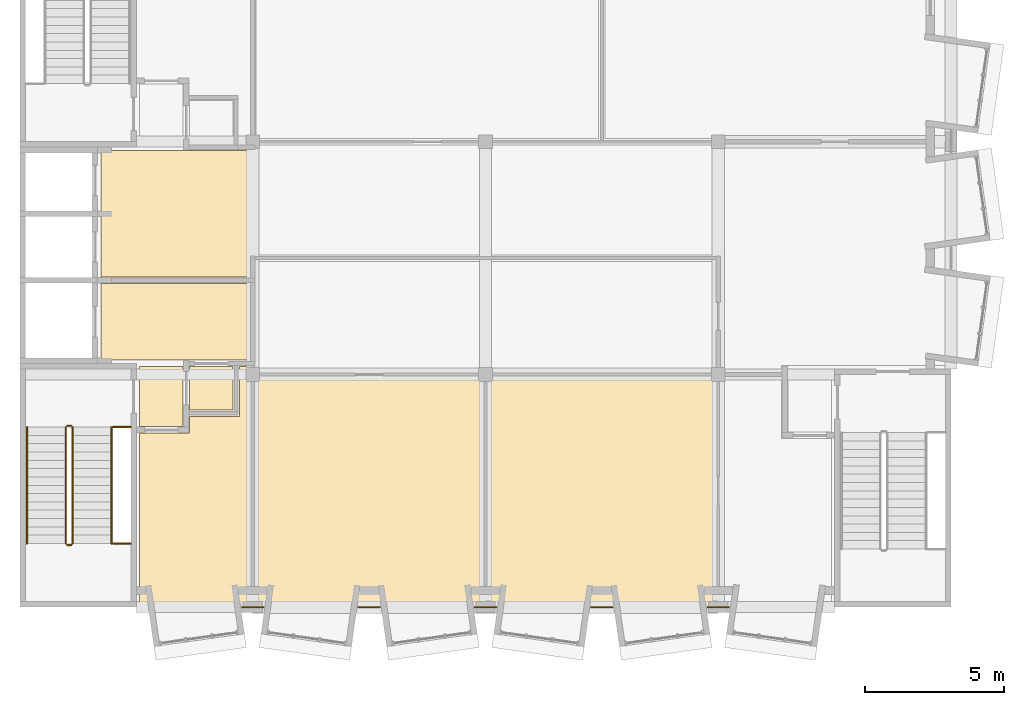
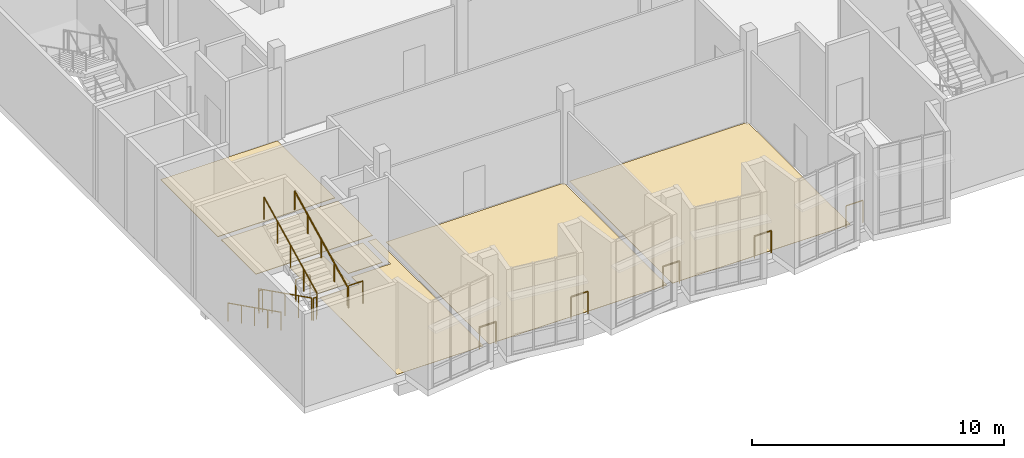
# One storey, part 14 of 18: 13 railings, 7 coverings.
"""IFC4 building model written with IfcOpenShell, lengths in metres."""

from ifc_helpers import new_model, si_unit, direction, frame, origin, origin_2d, place, context, subcontext, project, spatial, polyline, circle, outline, extrude, material, layer, layer_set, type_object, element, save


model = new_model("IFC4")

# Units and contexts
model_context = context("Model", 3, precision=1e-05, world=origin(), true_north=direction((0.0, 1.0)))
body_context = subcontext(model_context, "Body", "Model", "MODEL_VIEW")
ifc_project = project(units=[si_unit("LENGTHUNIT", "METRE"), si_unit("AREAUNIT", "SQUARE_METRE"), si_unit("VOLUMEUNIT", "CUBIC_METRE"), si_unit("PLANEANGLEUNIT", "RADIAN"), si_unit("MASSUNIT", "GRAM", prefix="KILO")], contexts=[model_context])

# Site, building, storey
site_placement = place(None, origin())
site = spatial("IfcSite", under=ifc_project, at=site_placement, CompositionType="ELEMENT")
building_placement = place(site_placement, origin())
building = spatial("IfcBuilding", under=site, at=building_placement, Name="Kiln Court Media Centre", CompositionType="ELEMENT")
storey_placement = place(building_placement, frame((0.0, 0.0, 33.60009765625)))
storey = spatial("IfcBuildingStorey", under=building, at=storey_placement, Name="L07", CompositionType="ELEMENT", Elevation=33.60009765625)

# Coverings
ifc_material_1 = material(Name="Carpet tile")
ifc_layer_1 = layer(ifc_material_1, 0.014892578125)
ifc_layer_set_1 = layer_set([ifc_layer_1], Name="Carpet tile floor finish 15")
covering_type_1 = type_object("IfcCoveringType", Name="Carpet tile floor finish 15", PredefinedType="FLOORING", material=ifc_layer_set_1)
covering_1_placement = place(storey_placement, origin())
element("IfcCovering", 1, at=covering_1_placement, inside=storey, type_object=covering_type_1, Name="Administration floor finish", PredefinedType="FLOORING", context=body_context, shape_type="SweptSolid", body=[
    extrude(outline(polyline([(8.52001953125, 0.1201171875), (16.679931640625, 0.1201171875), (16.679931640625, 8.280029296875), (8.52001953125, 8.280029296875), (8.52001953125, 0.1201171875)])), origin(), (0.0, 0.0, 1.0), 0.014892578125),
])
covering_2_placement = place(storey_placement, origin())
element("IfcCovering", 2, at=covering_2_placement, inside=storey, type_object=covering_type_1, Name="Boardroom floor finish", PredefinedType="FLOORING", context=body_context, shape_type="SweptSolid", body=[
    extrude(outline(polyline([(16.919921875, 0.1201171875), (25.080078125, 0.1201171875), (25.080078125, 8.280029296875), (16.919921875, 8.280029296875), (16.919921875, 0.1201171875)])), origin(), (0.0, 0.0, 1.0), 0.014892578125),
])
ifc_material_2 = material(Name="Ceramic tile")
ifc_layer_2 = layer(ifc_material_2, 0.011962890625)
ifc_layer_set_2 = layer_set([ifc_layer_2], Name="Ceramic tile floor finish 12")
covering_type_2 = type_object("IfcCoveringType", Name="Ceramic tile floor finish 12", PredefinedType="FLOORING", material=ifc_layer_set_2)
covering_3_placement = place(storey_placement, origin())
element("IfcCovering", 3, at=covering_3_placement, inside=storey, type_object=covering_type_2, Name="Toilets and Accessible WC floor finish", PredefinedType="FLOORING", context=body_context, shape_type="SweptSolid", body=[
    extrude(outline(polyline([(8.280029296875, 8.679931640625), (7.919921875, 8.679931640625), (7.919921875, 6.8798828125), (6.1201171875, 6.8798828125), (6.1201171875, 6.280029296875), (4.320068359375, 6.280029296875), (4.320068359375, 0.1201171875), (8.280029296875, 0.1201171875), (8.280029296875, 8.679931640625)])), origin(), (0.0, 0.0, 1.0), 0.011962890625),
])
ifc_material_3 = material(Name="Terrazzo")
ifc_layer_3 = layer(ifc_material_3, 0.02490234375)
ifc_layer_set_3 = layer_set([ifc_layer_3], Name="Polished terrazzo floor finish 25")
covering_type_3 = type_object("IfcCoveringType", Name="Polished terrazzo floor finish 25", PredefinedType="FLOORING", material=ifc_layer_set_3)
covering_4_placement = place(storey_placement, origin())
element("IfcCovering", 4, at=covering_4_placement, inside=storey, type_object=covering_type_3, Name="Stair 1 Vestibule floor finish", PredefinedType="FLOORING", context=body_context, shape_type="SweptSolid", body=[
    extrude(outline(polyline([(4.320068359375, 6.52001953125), (5.8798828125, 6.52001953125), (5.8798828125, 8.679931640625), (4.320068359375, 8.679931640625), (4.320068359375, 6.52001953125)])), origin(), (0.0, 0.0, 1.0), 0.02490234375),
])
covering_5_placement = place(storey_placement, origin())
element("IfcCovering", 5, at=covering_5_placement, inside=storey, type_object=covering_type_3, Name="Wheelchair Refuge floor finish", PredefinedType="FLOORING", context=body_context, shape_type="SweptSolid", body=[
    extrude(outline(polyline([(6.1201171875, 7.1201171875), (7.679931640625, 7.1201171875), (7.679931640625, 8.679931640625), (6.1201171875, 8.679931640625), (6.1201171875, 7.1201171875)])), origin(), (0.0, 0.0, 1.0), 0.02490234375),
])
covering_6_placement = place(storey_placement, origin())
element("IfcCovering", 6, at=covering_6_placement, inside=storey, type_object=covering_type_3, Name="Fire-fighting Lift Lobby floor finish", PredefinedType="FLOORING", context=body_context, shape_type="SweptSolid", body=[
    extrude(outline(polyline([(2.919921875, 8.919921875), (8.280029296875, 8.919921875), (8.280029296875, 11.679931640625), (2.919921875, 11.679931640625), (2.919921875, 8.919921875)])), origin(), (0.0, 0.0, 1.0), 0.02490234375),
])
covering_7_placement = place(storey_placement, origin())
element("IfcCovering", 7, at=covering_7_placement, inside=storey, type_object=covering_type_3, Name="Passenger Lift Lobby floor finish", PredefinedType="FLOORING", context=body_context, shape_type="SweptSolid", body=[
    extrude(outline(polyline([(2.919921875, 11.919921875), (8.280029296875, 11.919921875), (8.280029296875, 16.47998046875), (2.919921875, 16.47998046875), (2.919921875, 11.919921875)])), origin(), (0.0, 0.0, 1.0), 0.02490234375),
])

# Railings
ifc_material_4 = material(Name="Steel S275", Category="steel")
railing_type_1 = type_object("IfcRailingType", Name="Steel S275 balustrade guard 1100", PredefinedType="GUARDRAIL", material=ifc_material_4)
for number, where, name in (
    (8, (25.582275390625, 0.0, 0.0), "L07 slab notch guard"),
    (9, (21.38232421875, 0.0, 0.0), "L07 slab notch guard"),
    (10, (17.182373046875, 0.0, 0.0), "L07 slab notch guard"),
    (11, (12.982421875, 0.0, 0.0), "L07 slab notch guard"),
    (12, (8.7822265625, 0.0, 0.0), "L07 slab notch guard"),
):
    element("IfcRailing", number, at=place(storey_placement, frame(where)), inside=storey, type_object=railing_type_1, Name=name, PredefinedType="GUARDRAIL", context=body_context, shape_type="SweptSolid", body=[
        extrude(circle(Radius=0.02392578125, at=origin_2d()), frame((0.0, 0.0, 1.076171875), z_axis=(-1.0, 0.0, 0.0), x_axis=(0.0, -1.0, 0.0)), (0.0, 0.0, 1.0), 0.7646484375),
        extrude(circle(Radius=0.02099609375, at=origin_2d()), origin(), (0.0, 0.0, 1.0), 1.052001953125),
        extrude(circle(Radius=0.02099609375, at=origin_2d()), frame((-0.7646484375, 0.0, 0.0)), (0.0, 0.0, 1.0), 1.052001953125),
    ])
ifc_material_5 = material(Name="Steel S275", Category="steel")
railing_type_2 = type_object("IfcRailingType", Name="Steel S275 stair guard 1100", PredefinedType="GUARDRAIL", material=ifc_material_5)
railing_1_placement = place(storey_placement, frame((1.64990234375, 6.5, 0.14990234375)))
element("IfcRailing", 13, at=railing_1_placement, inside=storey, type_object=railing_type_2, Name="ST-01 stair guard", PredefinedType="GUARDRAIL", context=body_context, shape_type="SweptSolid", body=[
    extrude(circle(Radius=0.02392578125, at=origin_2d()), frame((0.0, 0.0, 1.076171875), z_axis=(0.0, -0.894416792377, 0.447234392142), x_axis=(1.0, 0.0, 0.0)), (0.0, 0.0, 1.0), 4.69580078125),
    extrude(circle(Radius=0.02099609375, at=origin_2d()), origin(), (0.0, 0.0, 1.0), 1.052001953125),
    extrude(circle(Radius=0.02099609375, at=origin_2d()), frame((0.0, -1.050048828125, 0.52490234375)), (0.0, 0.0, 1.0), 1.052001953125),
    extrude(circle(Radius=0.02099609375, at=origin_2d()), frame((0.0, -2.10009765625, 1.050048828125)), (0.0, 0.0, 1.0), 1.052001953125),
    extrude(circle(Radius=0.02099609375, at=origin_2d()), frame((0.0, -3.14990234375, 1.5751953125)), (0.0, 0.0, 1.0), 1.052001953125),
    extrude(circle(Radius=0.02099609375, at=origin_2d()), frame((0.0, -4.199951171875, 2.10009765625)), (0.0, 0.0, 1.0), 1.052001953125),
])
railing_2_placement = place(storey_placement, frame((1.699951171875, 2.25, 2.25)))
element("IfcRailing", 14, at=railing_2_placement, inside=storey, type_object=railing_type_2, Name="ST-01 stair guard", PredefinedType="GUARDRAIL", context=body_context, shape_type="SweptSolid", body=[
    extrude(circle(Radius=0.02392578125, at=origin_2d()), frame((0.0, 0.0, 1.076171875), z_axis=(1.0, 0.0, 0.0), x_axis=(0.0, 1.0, 0.0)), (0.0, 0.0, 1.0), 0.150146484375),
    extrude(circle(Radius=0.02099609375, at=origin_2d()), origin(), (0.0, 0.0, 1.0), 1.052001953125),
    extrude(circle(Radius=0.02099609375, at=origin_2d()), frame((0.150146484375, 0.0, 0.0)), (0.0, 0.0, 1.0), 1.052001953125),
])
railing_3_placement = place(storey_placement, frame((1.89990234375, 2.300048828125, 2.39990234375)))
element("IfcRailing", 15, at=railing_3_placement, inside=storey, type_object=railing_type_2, Name="ST-01 stair guard", PredefinedType="GUARDRAIL", context=body_context, shape_type="SweptSolid", body=[
    extrude(circle(Radius=0.02392578125, at=origin_2d()), frame((0.0, 0.0, 1.076171875), z_axis=(0.0, 0.894416792377, 0.447234392142), x_axis=(-1.0, 0.0, 0.0)), (0.0, 0.0, 1.0), 4.69580078125),
    extrude(circle(Radius=0.02099609375, at=origin_2d()), origin(), (0.0, 0.0, 1.0), 1.052001953125),
    extrude(circle(Radius=0.02099609375, at=origin_2d()), frame((0.0, 1.050048828125, 0.52490234375)), (0.0, 0.0, 1.0), 1.052001953125),
    extrude(circle(Radius=0.02099609375, at=origin_2d()), frame((0.0, 2.10009765625, 1.050048828125)), (0.0, 0.0, 1.0), 1.052001953125),
    extrude(circle(Radius=0.02099609375, at=origin_2d()), frame((0.0, 3.14990234375, 1.5751953125)), (0.0, 0.0, 1.0), 1.052001953125),
    extrude(circle(Radius=0.02099609375, at=origin_2d()), frame((0.0, 4.199951171875, 2.10009765625)), (0.0, 0.0, 1.0), 1.052001953125),
])
railing_4_placement = place(storey_placement, frame((1.699951171875, 6.550048828125, 0.0)))
element("IfcRailing", 16, at=railing_4_placement, inside=storey, type_object=railing_type_2, Name="ST-01 stair guard", PredefinedType="GUARDRAIL", context=body_context, shape_type="SweptSolid", body=[
    extrude(circle(Radius=0.02392578125, at=origin_2d()), frame((0.0, 0.0, 1.076171875), z_axis=(1.0, 0.0, 0.0), x_axis=(0.0, 1.0, 0.0)), (0.0, 0.0, 1.0), 0.150146484375),
    extrude(circle(Radius=0.02099609375, at=origin_2d()), origin(), (0.0, 0.0, 1.0), 1.052001953125),
    extrude(circle(Radius=0.02099609375, at=origin_2d()), frame((0.150146484375, 0.0, 0.0)), (0.0, 0.0, 1.0), 1.052001953125),
])
for number, where, name in (
    (17, (3.35009765625, 2.300048828125, 2.25), "ST-01 landing edge guard"),
    (18, (3.35009765625, 6.5, 0.0), "ST-01 landing edge guard"),
):
    element("IfcRailing", number, at=place(storey_placement, frame(where)), inside=storey, type_object=railing_type_2, Name=name, PredefinedType="GUARDRAIL", context=body_context, shape_type="SweptSolid", body=[
        extrude(circle(Radius=0.02392578125, at=origin_2d()), frame((0.0, 0.0, 1.076171875), z_axis=(1.0, 0.0, 0.0), x_axis=(0.0, 1.0, 0.0)), (0.0, 0.0, 1.0), 0.64990234375),
        extrude(circle(Radius=0.02099609375, at=origin_2d()), origin(), (0.0, 0.0, 1.0), 1.052001953125),
        extrude(circle(Radius=0.02099609375, at=origin_2d()), frame((0.64990234375, 0.0, 0.0)), (0.0, 0.0, 1.0), 1.052001953125),
    ])
ifc_material_6 = material(Name="Steel S275", Category="steel")
railing_type_3 = type_object("IfcRailingType", Name="Steel S275 stair handrail 900", PredefinedType="HANDRAIL", material=ifc_material_6)
railing_5_placement = place(storey_placement, frame((0.25, 6.5, 0.14990234375)))
element("IfcRailing", 19, at=railing_5_placement, inside=storey, type_object=railing_type_3, Name="ST-01 stair handrail", PredefinedType="HANDRAIL", context=body_context, shape_type="SweptSolid", body=[
    extrude(circle(Radius=0.02392578125, at=origin_2d()), frame((0.0, 0.0, 0.8759765625), z_axis=(0.0, -0.894416792377, 0.447234392142), x_axis=(1.0, 0.0, 0.0)), (0.0, 0.0, 1.0), 4.69580078125),
    extrude(circle(Radius=0.02099609375, at=origin_2d()), origin(), (0.0, 0.0, 1.0), 0.851806640625),
    extrude(circle(Radius=0.02099609375, at=origin_2d()), frame((0.0, -1.050048828125, 0.52490234375)), (0.0, 0.0, 1.0), 0.851806640625),
    extrude(circle(Radius=0.02099609375, at=origin_2d()), frame((0.0, -2.10009765625, 1.050048828125)), (0.0, 0.0, 1.0), 0.851806640625),
    extrude(circle(Radius=0.02099609375, at=origin_2d()), frame((0.0, -3.14990234375, 1.5751953125)), (0.0, 0.0, 1.0), 0.851806640625),
    extrude(circle(Radius=0.02099609375, at=origin_2d()), frame((0.0, -4.199951171875, 2.10009765625)), (0.0, 0.0, 1.0), 0.851806640625),
])
railing_6_placement = place(storey_placement, frame((3.300048828125, 2.300048828125, 2.39990234375)))
element("IfcRailing", 20, at=railing_6_placement, inside=storey, type_object=railing_type_3, Name="ST-01 stair handrail", PredefinedType="HANDRAIL", context=body_context, shape_type="SweptSolid", body=[
    extrude(circle(Radius=0.02392578125, at=origin_2d()), frame((0.0, 0.0, 0.8759765625), z_axis=(0.0, 0.894416792377, 0.447234392142), x_axis=(-1.0, 0.0, 0.0)), (0.0, 0.0, 1.0), 4.69580078125),
    extrude(circle(Radius=0.02099609375, at=origin_2d()), origin(), (0.0, 0.0, 1.0), 0.851806640625),
    extrude(circle(Radius=0.02099609375, at=origin_2d()), frame((0.0, 1.050048828125, 0.52490234375)), (0.0, 0.0, 1.0), 0.851806640625),
    extrude(circle(Radius=0.02099609375, at=origin_2d()), frame((0.0, 2.10009765625, 1.050048828125)), (0.0, 0.0, 1.0), 0.851806640625),
    extrude(circle(Radius=0.02099609375, at=origin_2d()), frame((0.0, 3.14990234375, 1.5751953125)), (0.0, 0.0, 1.0), 0.851806640625),
    extrude(circle(Radius=0.02099609375, at=origin_2d()), frame((0.0, 4.199951171875, 2.10009765625)), (0.0, 0.0, 1.0), 0.851806640625),
])

save(model, "model.ifc")
